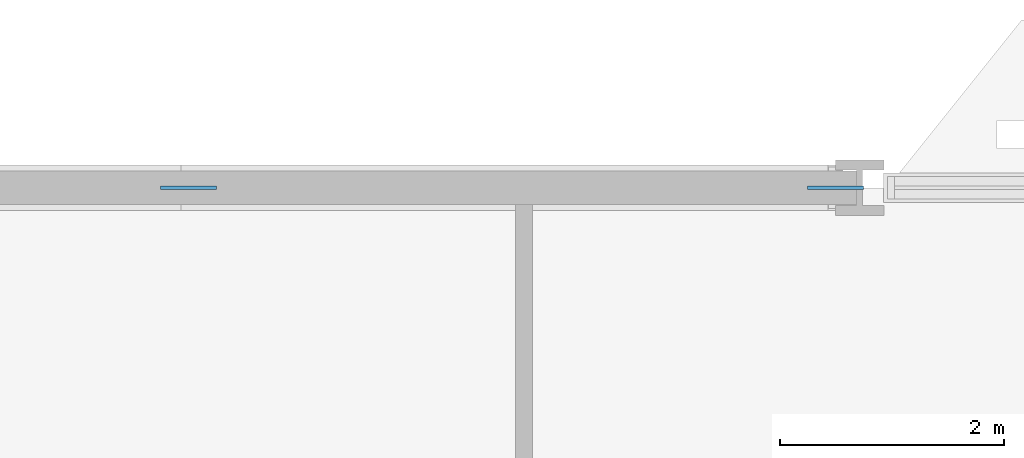
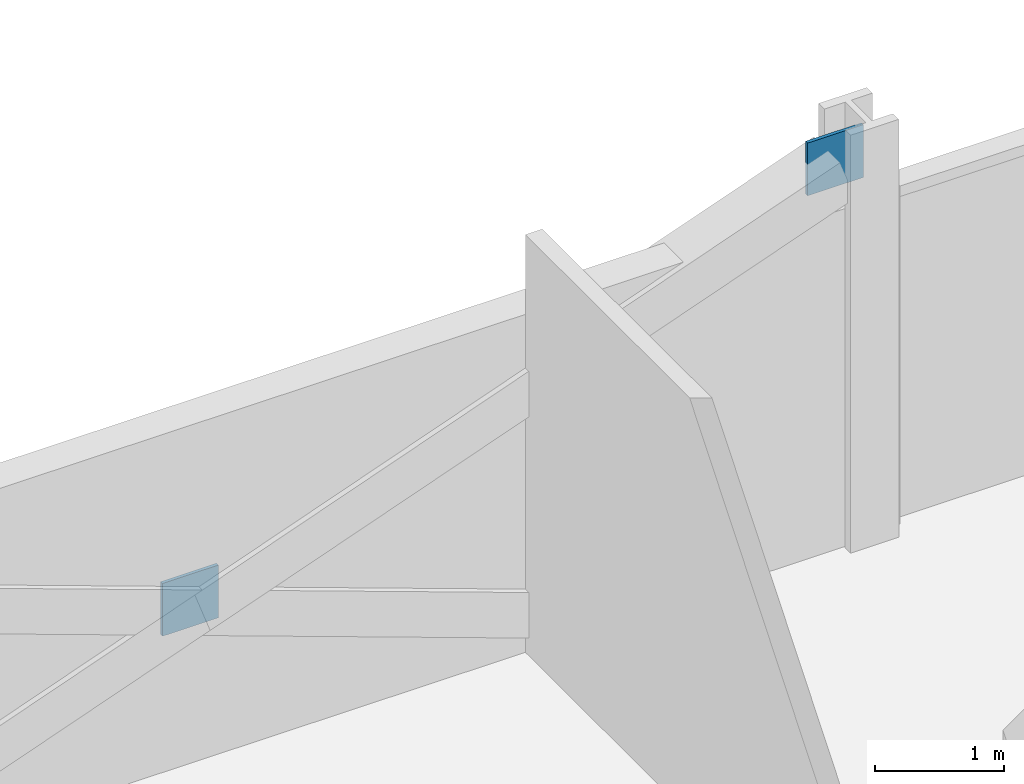
# One storey, part 19 of 27: 2 discrete accessories.
"""IFC4 building model written with IfcOpenShell, lengths in metres."""

from ifc_helpers import new_model, si_unit, direction, frame, origin, origin_2d, place, context, subcontext, project, spatial, rectangle, extrude, material, layer, layer_set, type_object, element, save


model = new_model("IFC4")

# Units and contexts
model_context = context("Model", 3, precision=1e-05, world=origin(), true_north=direction((0.0, 1.0)))
body_context = subcontext(model_context, "Body", "Model", "MODEL_VIEW")
ifc_project = project(units=[si_unit("LENGTHUNIT", "METRE"), si_unit("AREAUNIT", "SQUARE_METRE"), si_unit("VOLUMEUNIT", "CUBIC_METRE"), si_unit("PLANEANGLEUNIT", "RADIAN"), si_unit("MASSUNIT", "GRAM", prefix="KILO")], contexts=[model_context])

# Site, building, storey
site_placement = place(None, origin())
site = spatial("IfcSite", under=ifc_project, at=site_placement, CompositionType="ELEMENT")
building_placement = place(site_placement, origin())
building = spatial("IfcBuilding", under=site, at=building_placement, Name="Mahtab Terrace Research Tower", CompositionType="ELEMENT")
storey_placement = place(building_placement, frame((0.0, 0.0, 28.699951171875)))
storey = spatial("IfcBuildingStorey", under=building, at=storey_placement, Name="L06", CompositionType="ELEMENT", Elevation=28.699951171875)

# Discrete accessories
ifc_material = material(Name="Steel ASTM A992 Gr 50", Category="steel")
ifc_layer = layer(ifc_material, 0.030029296875)
ifc_layer_set = layer_set([ifc_layer], Name="Gusset plate 500x500x30")
discrete_accessory_type = type_object("IfcDiscreteAccessoryType", Name="Gusset plate 500x500x30", PredefinedType="USERDEFINED", material=ifc_layer_set)
for number, where, z_axis, x_axis, name in (
    (1, (0.0, 23.0, 1.181640625), (0.0, 0.0, 1.0), (1.0, 0.0, 0.0), "Gusset plate"),
    (2, (5.7841796875, 23.0, 3.33154296875), (0.0, 0.0, 1.0), (1.0, 0.0, 0.0), "Gusset plate"),
):
    element("IfcDiscreteAccessory", number, at=place(storey_placement, frame(where, z_axis=z_axis, x_axis=x_axis)), inside=storey, type_object=discrete_accessory_type, Name=name, ObjectType="GUSSET PLATE", PredefinedType="USERDEFINED", context=body_context, shape_type="SweptSolid", body=[
        extrude(rectangle(XDim=0.5, YDim=0.030029296875, at=origin_2d()), origin(), (0.0, 0.0, 1.0), 0.5),
    ])

save(model, "model.ifc")
